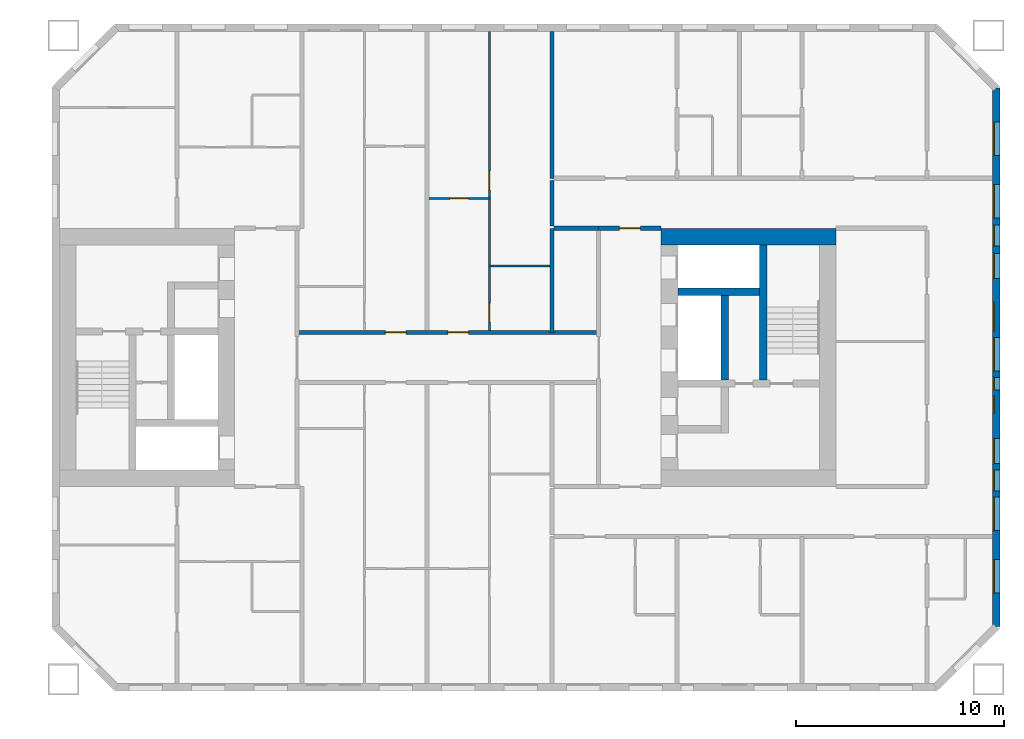
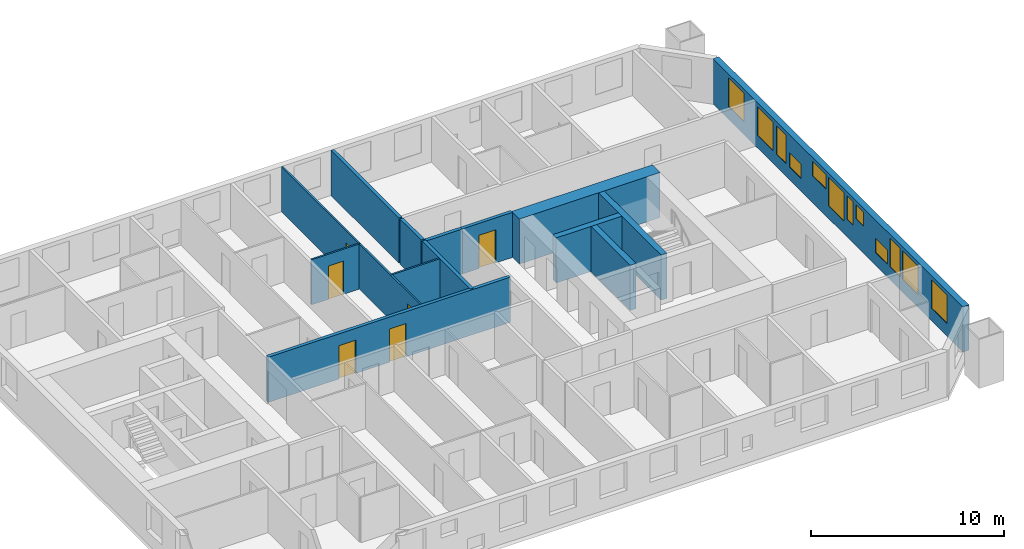
# One storey, part 13 of 17: 14 walls, 12 windows, 6 doors, 18 openings.
"""IFC4 building model written with IfcOpenShell, lengths in metres."""

from ifc_helpers import new_model, si_unit, direction, frame, frame_2d, origin, place, context, subcontext, project, spatial, rectangle, extrude, material, layer, layer_set, type_object, element, fill, save


model = new_model("IFC4")

# Units and contexts
model_context = context("Model", 3, precision=1e-05, world=origin(), true_north=direction((0.0, 1.0)))
body_context = subcontext(model_context, "Body", "Model", "MODEL_VIEW")
ifc_project = project(units=[si_unit("LENGTHUNIT", "METRE"), si_unit("AREAUNIT", "SQUARE_METRE"), si_unit("VOLUMEUNIT", "CUBIC_METRE"), si_unit("PLANEANGLEUNIT", "RADIAN"), si_unit("MASSUNIT", "GRAM", prefix="KILO")], contexts=[model_context])

# Site, building, storey
site_placement = place(None, origin())
site = spatial("IfcSite", under=ifc_project, at=site_placement, CompositionType="ELEMENT")
building_placement = place(site_placement, origin())
building = spatial("IfcBuilding", under=site, at=building_placement, Name="Tuart Gate Housing", CompositionType="ELEMENT")
storey_placement = place(building_placement, frame((0.0, 0.0, 53.60009765625)))
storey = spatial("IfcBuildingStorey", under=building, at=storey_placement, Name="L14", CompositionType="ELEMENT", Elevation=53.60009765625)

# Wall, openings, windows
ifc_material_1 = material(Name="Brick", Category="masonry")
ifc_layer_1 = layer(ifc_material_1, 0.360107421875)
ifc_layer_set_1 = layer_set([ifc_layer_1], Name="Brick pier and spandrel wall 360")
wall_type_1 = type_object("IfcWallType", Name="Brick pier and spandrel wall 360", PredefinedType="STANDARD", material=ifc_layer_set_1)
wall_1_placement = place(storey_placement, frame((176.320068359375, 57.07470703125, 0.0), z_axis=(0.0, 0.0, 1.0), x_axis=(0.0, 1.0, 0.0)))
wall_1 = element("IfcWall", 1, at=wall_1_placement, inside=storey, type_object=wall_type_1, Name="External wall B-E L14", PredefinedType="STANDARD", context=body_context, shape_type="SweptSolid", body=[
    extrude(rectangle(XDim=25.850830078125, YDim=0.360107421875, at=frame_2d((12.92529296875, 0.0))), origin(), (0.0, 0.0, 1.0), 2.849853515625),
])
opening_1_placement = place(wall_1_placement, frame((1.62548828125, 0.0, 0.800048828125)))
opening_1 = element("IfcOpeningElement", 2, at=opening_1_placement, cuts=wall_1, Name="Opening W1", PredefinedType="OPENING", context=body_context, shape_type="SweptSolid", body=[
    extrude(rectangle(XDim=1.60009765625, YDim=1.800048828125, at=frame_2d((0.800048828125, 0.89990234375))), frame((0.0, 0.18994140625, 0.0), z_axis=(0.0, -1.0, 0.0), x_axis=(1.0, 0.0, 0.0)), (0.0, 0.0, 1.0), 0.380126953125),
])
opening_2_placement = place(wall_1_placement, frame((4.62548828125, 0.0, 0.800048828125)))
opening_2 = element("IfcOpeningElement", 3, at=opening_2_placement, cuts=wall_1, Name="Opening W1", PredefinedType="OPENING", context=body_context, shape_type="SweptSolid", body=[
    extrude(rectangle(XDim=1.60009765625, YDim=1.800048828125, at=frame_2d((0.800048828125, 0.89990234375))), frame((0.0, 0.18994140625, 0.0), z_axis=(0.0, -1.0, 0.0), x_axis=(1.0, 0.0, 0.0)), (0.0, 0.0, 1.0), 0.380126953125),
])
opening_3_placement = place(wall_1_placement, frame((6.525390625, 0.0, 0.800048828125)))
opening_3 = element("IfcOpeningElement", 4, at=opening_3_placement, cuts=wall_1, Name="Opening W1C", PredefinedType="OPENING", context=body_context, shape_type="SweptSolid", body=[
    extrude(rectangle(XDim=1.0, YDim=1.800048828125, at=frame_2d((0.5, 0.89990234375))), frame((0.0, 0.18994140625, 0.0), z_axis=(0.0, -1.0, 0.0), x_axis=(1.0, 0.0, 0.0)), (0.0, 0.0, 1.0), 0.380126953125),
])
opening_4_placement = place(wall_1_placement, frame((7.825439453125, 0.0, 0.800048828125)))
opening_4 = element("IfcOpeningElement", 5, at=opening_4_placement, cuts=wall_1, Name="Opening W1T", PredefinedType="OPENING", context=body_context, shape_type="SweptSolid", body=[
    extrude(rectangle(XDim=1.199951171875, YDim=0.89990234375, at=frame_2d((0.60009765625, 0.449951171875))), frame((0.0, 0.18994140625, 0.0), z_axis=(0.0, -1.0, 0.0), x_axis=(1.0, 0.0, 0.0)), (0.0, 0.0, 1.0), 0.380126953125),
])
opening_5_placement = place(wall_1_placement, frame((10.275390625, 0.0, 1.699951171875)))
opening_5 = element("IfcOpeningElement", 6, at=opening_5_placement, cuts=wall_1, Name="Opening W1V", PredefinedType="OPENING", context=body_context, shape_type="SweptSolid", body=[
    extrude(rectangle(XDim=0.800048828125, YDim=0.89990234375, at=frame_2d((0.39990234375, 0.449951171875))), frame((0.0, 0.18994140625, 0.0), z_axis=(0.0, -1.0, 0.0), x_axis=(1.0, 0.0, 0.0)), (0.0, 0.0, 1.0), 0.380126953125),
])
opening_6_placement = place(wall_1_placement, frame((11.37548828125, 0.0, 1.10009765625)))
opening_6 = element("IfcOpeningElement", 7, at=opening_6_placement, cuts=wall_1, Name="Opening W1K", PredefinedType="OPENING", context=body_context, shape_type="SweptSolid", body=[
    extrude(rectangle(XDim=0.60009765625, YDim=1.5, at=frame_2d((0.300048828125, 0.75))), frame((0.0, 0.18994140625, 0.0), z_axis=(0.0, -1.0, 0.0), x_axis=(1.0, 0.0, 0.0)), (0.0, 0.0, 1.0), 0.380126953125),
])
opening_7_placement = place(wall_1_placement, frame((19.62548828125, 0.0, 0.800048828125)))
opening_7 = element("IfcOpeningElement", 8, at=opening_7_placement, cuts=wall_1, Name="Opening W1", PredefinedType="OPENING", context=body_context, shape_type="SweptSolid", body=[
    extrude(rectangle(XDim=1.60009765625, YDim=1.800048828125, at=frame_2d((0.800048828125, 0.89990234375))), frame((0.0, 0.18994140625, 0.0), z_axis=(0.0, -1.0, 0.0), x_axis=(1.0, 0.0, 0.0)), (0.0, 0.0, 1.0), 0.380126953125),
])
opening_8_placement = place(wall_1_placement, frame((22.62548828125, 0.0, 0.800048828125)))
opening_8 = element("IfcOpeningElement", 9, at=opening_8_placement, cuts=wall_1, Name="Opening W1", PredefinedType="OPENING", context=body_context, shape_type="SweptSolid", body=[
    extrude(rectangle(XDim=1.60009765625, YDim=1.800048828125, at=frame_2d((0.800048828125, 0.89990234375))), frame((0.0, 0.18994140625, 0.0), z_axis=(0.0, -1.0, 0.0), x_axis=(1.0, 0.0, 0.0)), (0.0, 0.0, 1.0), 0.380126953125),
])
opening_9_placement = place(wall_1_placement, frame((12.275390625, 0.0, 0.800048828125)))
opening_9 = element("IfcOpeningElement", 10, at=opening_9_placement, cuts=wall_1, Name="Opening W1", PredefinedType="OPENING", context=body_context, shape_type="SweptSolid", body=[
    extrude(rectangle(XDim=1.60009765625, YDim=1.800048828125, at=frame_2d((0.800048828125, 0.89990234375))), frame((0.0, 0.18994140625, 0.0), z_axis=(0.0, -1.0, 0.0), x_axis=(1.0, 0.0, 0.0)), (0.0, 0.0, 1.0), 0.380126953125),
])
opening_10_placement = place(wall_1_placement, frame((14.17529296875, 0.0, 1.699951171875)))
opening_10 = element("IfcOpeningElement", 11, at=opening_10_placement, cuts=wall_1, Name="Opening W1S", PredefinedType="OPENING", context=body_context, shape_type="SweptSolid", body=[
    extrude(rectangle(XDim=1.39990234375, YDim=0.89990234375, at=frame_2d((0.699951171875, 0.449951171875))), frame((0.0, 0.18994140625, 0.0), z_axis=(0.0, -1.0, 0.0), x_axis=(1.0, 0.0, 0.0)), (0.0, 0.0, 1.0), 0.380126953125),
])
opening_11_placement = place(wall_1_placement, frame((16.725341796875, 0.0, 0.800048828125)))
opening_11 = element("IfcOpeningElement", 12, at=opening_11_placement, cuts=wall_1, Name="Opening W1T", PredefinedType="OPENING", context=body_context, shape_type="SweptSolid", body=[
    extrude(rectangle(XDim=1.199951171875, YDim=0.89990234375, at=frame_2d((0.60009765625, 0.449951171875))), frame((0.0, 0.18994140625, 0.0), z_axis=(0.0, -1.0, 0.0), x_axis=(1.0, 0.0, 0.0)), (0.0, 0.0, 1.0), 0.380126953125),
])
opening_12_placement = place(wall_1_placement, frame((18.275390625, 0.0, 0.800048828125)))
opening_12 = element("IfcOpeningElement", 13, at=opening_12_placement, cuts=wall_1, Name="Opening W1C", PredefinedType="OPENING", context=body_context, shape_type="SweptSolid", body=[
    extrude(rectangle(XDim=1.0, YDim=1.800048828125, at=frame_2d((0.5, 0.89990234375))), frame((0.0, 0.18994140625, 0.0), z_axis=(0.0, -1.0, 0.0), x_axis=(1.0, 0.0, 0.0)), (0.0, 0.0, 1.0), 0.380126953125),
])
ifc_material_2 = material(Name="Aluminium frame with clear glass", Category="aluminium")
window_type_1 = type_object("IfcWindowType", Name="Punched window 1000 x 1800", PartitioningType="SINGLE_PANEL", PredefinedType="WINDOW", material=ifc_material_2)
window_1_placement = place(opening_3_placement, origin())
window_1 = element("IfcWindow", 14, at=window_1_placement, inside=storey, type_object=window_type_1, Name="Window W1C", OverallHeight=1.800048828125, OverallWidth=1.0, PartitioningType="SINGLE_PANEL", PredefinedType="WINDOW", context=body_context, shape_type="SweptSolid", body=[
    extrude(rectangle(XDim=1.0, YDim=1.800048828125, at=frame_2d((0.5, 0.89990234375))), frame((0.0, 0.150146484375, 0.0), z_axis=(0.0, -1.0, 0.0), x_axis=(1.0, 0.0, 0.0)), (0.0, 0.0, 1.0), 0.06005859375),
])
fill(opening_3, window_1)
window_2_placement = place(opening_12_placement, origin())
window_2 = element("IfcWindow", 15, at=window_2_placement, inside=storey, type_object=window_type_1, Name="Window W1C", OverallHeight=1.800048828125, OverallWidth=1.0, PartitioningType="SINGLE_PANEL", PredefinedType="WINDOW", context=body_context, shape_type="SweptSolid", body=[
    extrude(rectangle(XDim=1.0, YDim=1.800048828125, at=frame_2d((0.5, 0.89990234375))), frame((0.0, 0.150146484375, 0.0), z_axis=(0.0, -1.0, 0.0), x_axis=(1.0, 0.0, 0.0)), (0.0, 0.0, 1.0), 0.06005859375),
])
fill(opening_12, window_2)
ifc_material_3 = material(Name="Aluminium frame with clear glass", Category="aluminium")
window_type_2 = type_object("IfcWindowType", Name="Punched window 1200 x 900", PartitioningType="SINGLE_PANEL", PredefinedType="WINDOW", material=ifc_material_3)
window_3_placement = place(opening_4_placement, origin())
window_3 = element("IfcWindow", 16, at=window_3_placement, inside=storey, type_object=window_type_2, Name="Window W1T", OverallHeight=0.89990234375, OverallWidth=1.199951171875, PartitioningType="SINGLE_PANEL", PredefinedType="WINDOW", context=body_context, shape_type="SweptSolid", body=[
    extrude(rectangle(XDim=1.199951171875, YDim=0.89990234375, at=frame_2d((0.60009765625, 0.449951171875))), frame((0.0, 0.150146484375, 0.0), z_axis=(0.0, -1.0, 0.0), x_axis=(1.0, 0.0, 0.0)), (0.0, 0.0, 1.0), 0.06005859375),
])
fill(opening_4, window_3)
window_4_placement = place(opening_11_placement, origin())
window_4 = element("IfcWindow", 17, at=window_4_placement, inside=storey, type_object=window_type_2, Name="Window W1T", OverallHeight=0.89990234375, OverallWidth=1.199951171875, PartitioningType="SINGLE_PANEL", PredefinedType="WINDOW", context=body_context, shape_type="SweptSolid", body=[
    extrude(rectangle(XDim=1.199951171875, YDim=0.89990234375, at=frame_2d((0.60009765625, 0.449951171875))), frame((0.0, 0.150146484375, 0.0), z_axis=(0.0, -1.0, 0.0), x_axis=(1.0, 0.0, 0.0)), (0.0, 0.0, 1.0), 0.06005859375),
])
fill(opening_11, window_4)
ifc_material_4 = material(Name="Aluminium frame with clear glass", Category="aluminium")
window_type_3 = type_object("IfcWindowType", Name="Punched window 1400 x 900", PartitioningType="SINGLE_PANEL", PredefinedType="WINDOW", material=ifc_material_4)
window_5_placement = place(opening_10_placement, origin())
window_5 = element("IfcWindow", 18, at=window_5_placement, inside=storey, type_object=window_type_3, Name="Window W1S", OverallHeight=0.89990234375, OverallWidth=1.39990234375, PartitioningType="SINGLE_PANEL", PredefinedType="WINDOW", context=body_context, shape_type="SweptSolid", body=[
    extrude(rectangle(XDim=1.39990234375, YDim=0.89990234375, at=frame_2d((0.699951171875, 0.449951171875))), frame((0.0, 0.150146484375, 0.0), z_axis=(0.0, -1.0, 0.0), x_axis=(1.0, 0.0, 0.0)), (0.0, 0.0, 1.0), 0.06005859375),
])
fill(opening_10, window_5)
ifc_material_5 = material(Name="Aluminium frame with clear glass", Category="aluminium")
window_type_4 = type_object("IfcWindowType", Name="Punched window 1600 x 1800", PartitioningType="SINGLE_PANEL", PredefinedType="WINDOW", material=ifc_material_5)
window_6_placement = place(opening_1_placement, origin())
window_6 = element("IfcWindow", 19, at=window_6_placement, inside=storey, type_object=window_type_4, Name="Window W1", OverallHeight=1.800048828125, OverallWidth=1.60009765625, PartitioningType="SINGLE_PANEL", PredefinedType="WINDOW", context=body_context, shape_type="SweptSolid", body=[
    extrude(rectangle(XDim=1.60009765625, YDim=1.800048828125, at=frame_2d((0.800048828125, 0.89990234375))), frame((0.0, 0.150146484375, 0.0), z_axis=(0.0, -1.0, 0.0), x_axis=(1.0, 0.0, 0.0)), (0.0, 0.0, 1.0), 0.06005859375),
])
fill(opening_1, window_6)
window_7_placement = place(opening_2_placement, origin())
window_7 = element("IfcWindow", 20, at=window_7_placement, inside=storey, type_object=window_type_4, Name="Window W1", OverallHeight=1.800048828125, OverallWidth=1.60009765625, PartitioningType="SINGLE_PANEL", PredefinedType="WINDOW", context=body_context, shape_type="SweptSolid", body=[
    extrude(rectangle(XDim=1.60009765625, YDim=1.800048828125, at=frame_2d((0.800048828125, 0.89990234375))), frame((0.0, 0.150146484375, 0.0), z_axis=(0.0, -1.0, 0.0), x_axis=(1.0, 0.0, 0.0)), (0.0, 0.0, 1.0), 0.06005859375),
])
fill(opening_2, window_7)
window_8_placement = place(opening_7_placement, origin())
window_8 = element("IfcWindow", 21, at=window_8_placement, inside=storey, type_object=window_type_4, Name="Window W1", OverallHeight=1.800048828125, OverallWidth=1.60009765625, PartitioningType="SINGLE_PANEL", PredefinedType="WINDOW", context=body_context, shape_type="SweptSolid", body=[
    extrude(rectangle(XDim=1.60009765625, YDim=1.800048828125, at=frame_2d((0.800048828125, 0.89990234375))), frame((0.0, 0.150146484375, 0.0), z_axis=(0.0, -1.0, 0.0), x_axis=(1.0, 0.0, 0.0)), (0.0, 0.0, 1.0), 0.06005859375),
])
fill(opening_7, window_8)
window_9_placement = place(opening_8_placement, origin())
window_9 = element("IfcWindow", 22, at=window_9_placement, inside=storey, type_object=window_type_4, Name="Window W1", OverallHeight=1.800048828125, OverallWidth=1.60009765625, PartitioningType="SINGLE_PANEL", PredefinedType="WINDOW", context=body_context, shape_type="SweptSolid", body=[
    extrude(rectangle(XDim=1.60009765625, YDim=1.800048828125, at=frame_2d((0.800048828125, 0.89990234375))), frame((0.0, 0.150146484375, 0.0), z_axis=(0.0, -1.0, 0.0), x_axis=(1.0, 0.0, 0.0)), (0.0, 0.0, 1.0), 0.06005859375),
])
fill(opening_8, window_9)
window_10_placement = place(opening_9_placement, origin())
window_10 = element("IfcWindow", 23, at=window_10_placement, inside=storey, type_object=window_type_4, Name="Window W1", OverallHeight=1.800048828125, OverallWidth=1.60009765625, PartitioningType="SINGLE_PANEL", PredefinedType="WINDOW", context=body_context, shape_type="SweptSolid", body=[
    extrude(rectangle(XDim=1.60009765625, YDim=1.800048828125, at=frame_2d((0.800048828125, 0.89990234375))), frame((0.0, 0.150146484375, 0.0), z_axis=(0.0, -1.0, 0.0), x_axis=(1.0, 0.0, 0.0)), (0.0, 0.0, 1.0), 0.06005859375),
])
fill(opening_9, window_10)
ifc_material_6 = material(Name="Aluminium frame with clear glass", Category="aluminium")
window_type_5 = type_object("IfcWindowType", Name="Punched window 600 x 1500", PartitioningType="SINGLE_PANEL", PredefinedType="WINDOW", material=ifc_material_6)
window_11_placement = place(opening_6_placement, origin())
window_11 = element("IfcWindow", 24, at=window_11_placement, inside=storey, type_object=window_type_5, Name="Window W1K", OverallHeight=1.5, OverallWidth=0.60009765625, PartitioningType="SINGLE_PANEL", PredefinedType="WINDOW", context=body_context, shape_type="SweptSolid", body=[
    extrude(rectangle(XDim=0.60009765625, YDim=1.5, at=frame_2d((0.300048828125, 0.75))), frame((0.0, 0.150146484375, 0.0), z_axis=(0.0, -1.0, 0.0), x_axis=(1.0, 0.0, 0.0)), (0.0, 0.0, 1.0), 0.06005859375),
])
fill(opening_6, window_11)
ifc_material_7 = material(Name="Aluminium frame with clear glass", Category="aluminium")
window_type_6 = type_object("IfcWindowType", Name="Punched window 800 x 900", PartitioningType="SINGLE_PANEL", PredefinedType="WINDOW", material=ifc_material_7)
window_12_placement = place(opening_5_placement, origin())
window_12 = element("IfcWindow", 25, at=window_12_placement, inside=storey, type_object=window_type_6, Name="Window W1V", OverallHeight=0.89990234375, OverallWidth=0.800048828125, PartitioningType="SINGLE_PANEL", PredefinedType="WINDOW", context=body_context, shape_type="SweptSolid", body=[
    extrude(rectangle(XDim=0.800048828125, YDim=0.89990234375, at=frame_2d((0.39990234375, 0.449951171875))), frame((0.0, 0.150146484375, 0.0), z_axis=(0.0, -1.0, 0.0), x_axis=(1.0, 0.0, 0.0)), (0.0, 0.0, 1.0), 0.06005859375),
])
fill(opening_5, window_12)

# Walls
ifc_material_8 = material(Name="Concrete C60", Category="concrete")
ifc_layer_2 = layer(ifc_material_8, 0.35009765625)
ifc_layer_set_2 = layer_set([ifc_layer_2], Name="Core wall 350 C60")
wall_type_2 = type_object("IfcWallType", Name="Core wall 350 C60", PredefinedType="SHEAR", material=ifc_layer_set_2)
wall_2_placement = place(storey_placement, frame((161.0400390625, 73.14990234375, 0.0), z_axis=(0.0, 0.0, 1.0), x_axis=(1.0, 0.0, 0.0)))
element("IfcWall", 26, at=wall_2_placement, inside=storey, type_object=wall_type_2, Name="Core wall BK.1", PredefinedType="SHEAR", context=body_context, shape_type="SweptSolid", body=[
    extrude(rectangle(XDim=3.925048828125, YDim=0.35009765625, at=frame_2d((1.96240234375, 0.0))), origin(), (0.0, 0.0, 1.0), 2.849853515625),
])
wall_3_placement = place(storey_placement, frame((163.2900390625, 72.97509765625, 0.0), z_axis=(0.0, 0.0, 1.0), x_axis=(0.0, -1.0, 0.0)))
element("IfcWall", 27, at=wall_3_placement, inside=storey, type_object=wall_type_2, Name="Core wall BK.4", PredefinedType="SHEAR", context=body_context, shape_type="SweptSolid", body=[
    extrude(rectangle(XDim=4.050048828125, YDim=0.35009765625, at=frame_2d((2.02490234375, 0.0))), origin(), (0.0, 0.0, 1.0), 2.849853515625),
])
wall_4_placement = place(storey_placement, frame((165.139892578125, 75.39990234375, 0.0), z_axis=(0.0, 0.0, 1.0), x_axis=(0.0, -1.0, 0.0)))
element("IfcWall", 28, at=wall_4_placement, inside=storey, type_object=wall_type_2, Name="Core wall BK.6", PredefinedType="SHEAR", context=body_context, shape_type="SweptSolid", body=[
    extrude(rectangle(XDim=6.474853515625, YDim=0.35009765625, at=frame_2d((3.2373046875, 0.0))), origin(), (0.0, 0.0, 1.0), 2.849853515625),
])
ifc_material_9 = material(Name="Concrete C60", Category="concrete")
ifc_layer_3 = layer(ifc_material_9, 0.800048828125)
ifc_layer_set_3 = layer_set([ifc_layer_3], Name="Core wall 800 C60")
wall_type_3 = type_object("IfcWallType", Name="Core wall 800 C60", PredefinedType="SHEAR", material=ifc_layer_set_3)
wall_5_placement = place(storey_placement, frame((160.239990234375, 75.800048828125, 0.0), z_axis=(0.0, 0.0, 1.0), x_axis=(1.0, 0.0, 0.0)))
element("IfcWall", 29, at=wall_5_placement, inside=storey, type_object=wall_type_3, Name="Core wall BK south", PredefinedType="SHEAR", context=body_context, shape_type="SweptSolid", body=[
    extrude(rectangle(XDim=8.39990234375, YDim=0.800048828125, at=frame_2d((4.199951171875, 0.0))), origin(), (0.0, 0.0, 1.0), 2.849853515625),
])

# Wall, openings, doors
ifc_material_10 = material(Name="Concrete masonry 15 MPa", Category="masonry")
ifc_layer_4 = layer(ifc_material_10, 0.199951171875)
ifc_layer_set_4 = layer_set([ifc_layer_4], Name="Corridor wall masonry 200")
wall_type_4 = type_object("IfcWallType", Name="Corridor wall masonry 200", PredefinedType="PARTITIONING", material=ifc_layer_set_4)
wall_6_placement = place(storey_placement, frame((142.760009765625, 71.199951171875, 0.0), z_axis=(0.0, 0.0, 1.0), x_axis=(1.0, 0.0, 0.0)))
wall_6 = element("IfcWall", 30, at=wall_6_placement, inside=storey, type_object=wall_type_4, Name="Corridor wall masonry 200", PredefinedType="PARTITIONING", context=body_context, shape_type="SweptSolid", body=[
    extrude(rectangle(XDim=14.47998046875, YDim=0.199951171875, at=frame_2d((7.239990234375, 0.0))), origin(), (0.0, 0.0, 1.0), 2.849853515625),
])
opening_13_placement = place(wall_6_placement, frame((4.239990234375, 0.0, 0.0)))
opening_13 = element("IfcOpeningElement", 31, at=opening_13_placement, cuts=wall_6, Name="Opening D799", PredefinedType="OPENING", context=body_context, shape_type="SweptSolid", body=[
    extrude(rectangle(XDim=1.0, YDim=2.10009765625, at=frame_2d((0.5, 1.050048828125))), frame((0.0, 0.10986328125, 0.0), z_axis=(0.0, -1.0, 0.0), x_axis=(1.0, 0.0, 0.0)), (0.0, 0.0, 1.0), 0.219970703125),
])
opening_14_placement = place(wall_6_placement, frame((7.239990234375, 0.0, 0.0)))
opening_14 = element("IfcOpeningElement", 32, at=opening_14_placement, cuts=wall_6, Name="Opening D800", PredefinedType="OPENING", context=body_context, shape_type="SweptSolid", body=[
    extrude(rectangle(XDim=1.0, YDim=2.10009765625, at=frame_2d((0.5, 1.050048828125))), frame((0.0, 0.10986328125, 0.0), z_axis=(0.0, -1.0, 0.0), x_axis=(1.0, 0.0, 0.0)), (0.0, 0.0, 1.0), 0.219970703125),
])
ifc_material_11 = material(Name="Timber door leaf in steel frame", Category="steel")
door_type_1 = type_object("IfcDoorType", Name="Flat entrance door 1000", OperationType="SINGLE_SWING_LEFT", PredefinedType="DOOR", material=ifc_material_11)
door_1_placement = place(opening_13_placement, origin())
door_1 = element("IfcDoor", 33, at=door_1_placement, inside=storey, type_object=door_type_1, Name="Flat entrance door", OperationType="SINGLE_SWING_LEFT", OverallHeight=2.10009765625, OverallWidth=1.0, PredefinedType="DOOR", context=body_context, shape_type="SweptSolid", body=[
    extrude(rectangle(XDim=1.0, YDim=2.10009765625, at=frame_2d((0.5, 1.050048828125))), frame((0.0, 0.02490234375, 0.0), z_axis=(0.0, -1.0, 0.0), x_axis=(1.0, 0.0, 0.0)), (0.0, 0.0, 1.0), 0.050048828125),
])
fill(opening_13, door_1)
door_2_placement = place(opening_14_placement, origin())
door_2 = element("IfcDoor", 34, at=door_2_placement, inside=storey, type_object=door_type_1, Name="Flat entrance door", OperationType="SINGLE_SWING_LEFT", OverallHeight=2.10009765625, OverallWidth=1.0, PredefinedType="DOOR", context=body_context, shape_type="SweptSolid", body=[
    extrude(rectangle(XDim=1.0, YDim=2.10009765625, at=frame_2d((0.5, 1.050048828125))), frame((0.0, 0.02490234375, 0.0), z_axis=(0.0, -1.0, 0.0), x_axis=(1.0, 0.0, 0.0)), (0.0, 0.0, 1.0), 0.050048828125),
])
fill(opening_14, door_2)

# Walls
wall_7_placement = place(storey_placement, frame((155.10009765625, 76.199951171875, 0.0), z_axis=(0.0, 0.0, 1.0), x_axis=(1.0, 0.0, 0.0)))
element("IfcWall", 35, at=wall_7_placement, inside=storey, type_object=wall_type_4, Name="Corridor wall masonry 200", PredefinedType="PARTITIONING", context=body_context, shape_type="SweptSolid", body=[
    extrude(rectangle(XDim=2.139892578125, YDim=0.199951171875, at=frame_2d((1.06982421875, 0.0))), origin(), (0.0, 0.0, 1.0), 2.849853515625),
])
wall_8_placement = place(storey_placement, frame((155.0, 76.300048828125, 0.0), z_axis=(0.0, 0.0, 1.0), x_axis=(0.0, 1.0, 0.0)))
element("IfcWall", 36, at=wall_8_placement, inside=storey, type_object=wall_type_4, Name="Corridor wall masonry 200", PredefinedType="PARTITIONING", context=body_context, shape_type="SweptSolid", body=[
    extrude(rectangle(XDim=2.199951171875, YDim=0.199951171875, at=frame_2d((1.10009765625, 0.0))), origin(), (0.0, 0.0, 1.0), 2.849853515625),
])

# Wall, opening, door
ifc_material_12 = material(Name="Concrete masonry 15 MPa", Category="masonry")
ifc_layer_5 = layer(ifc_material_12, 0.199951171875)
ifc_layer_set_5 = layer_set([ifc_layer_5], Name="Enclosure wall masonry 200")
wall_type_5 = type_object("IfcWallType", Name="Enclosure wall masonry 200", PredefinedType="PARTITIONING", material=ifc_layer_set_5)
wall_9_placement = place(storey_placement, frame((157.239990234375, 76.199951171875, 0.0), z_axis=(0.0, 0.0, 1.0), x_axis=(1.0, 0.0, 0.0)))
wall_9 = element("IfcWall", 37, at=wall_9_placement, inside=storey, type_object=wall_type_5, Name="Enclosure wall masonry 200", PredefinedType="PARTITIONING", context=body_context, shape_type="SweptSolid", body=[
    extrude(rectangle(XDim=3.0, YDim=0.199951171875, at=frame_2d((1.5, 0.0))), origin(), (0.0, 0.0, 1.0), 2.849853515625),
])
opening_15_placement = place(wall_9_placement, frame((1.0, 0.0, 0.0)))
opening_15 = element("IfcOpeningElement", 38, at=opening_15_placement, cuts=wall_9, Name="Opening D796", PredefinedType="OPENING", context=body_context, shape_type="SweptSolid", body=[
    extrude(rectangle(XDim=1.0, YDim=2.10009765625, at=frame_2d((0.5, 1.050048828125))), frame((0.0, 0.10986328125, 0.0), z_axis=(0.0, -1.0, 0.0), x_axis=(1.0, 0.0, 0.0)), (0.0, 0.0, 1.0), 0.219970703125),
])
ifc_material_13 = material(Name="Timber door leaf in steel frame", Category="steel")
door_type_2 = type_object("IfcDoorType", Name="Fire door 1000", OperationType="SINGLE_SWING_LEFT", PredefinedType="DOOR", material=ifc_material_13)
door_3_placement = place(opening_15_placement, origin())
door_3 = element("IfcDoor", 39, at=door_3_placement, inside=storey, type_object=door_type_2, Name="Fire door", OperationType="SINGLE_SWING_LEFT", OverallHeight=2.10009765625, OverallWidth=1.0, PredefinedType="DOOR", context=body_context, shape_type="SweptSolid", body=[
    extrude(rectangle(XDim=1.0, YDim=2.10009765625, at=frame_2d((0.5, 1.050048828125))), frame((0.0, 0.02490234375, 0.0), z_axis=(0.0, -1.0, 0.0), x_axis=(1.0, 0.0, 0.0)), (0.0, 0.0, 1.0), 0.050048828125),
])
fill(opening_15, door_3)

# Wall
ifc_material_14 = material(Name="Gypsum board on steel studs", Category="steel")
ifc_layer_6 = layer(ifc_material_14, 0.10009765625)
ifc_layer_set_6 = layer_set([ifc_layer_6], Name="Partition 100")
wall_type_6 = type_object("IfcWallType", Name="Partition 100", PredefinedType="PARTITIONING", material=ifc_layer_set_6)
wall_10_placement = place(storey_placement, frame((152.0, 74.39990234375, 0.0), z_axis=(0.0, 0.0, 1.0), x_axis=(1.0, 0.0, 0.0)))
element("IfcWall", 40, at=wall_10_placement, inside=storey, type_object=wall_type_6, Name="Partition 100", PredefinedType="PARTITIONING", context=body_context, shape_type="SweptSolid", body=[
    extrude(rectangle(XDim=2.89990234375, YDim=0.10009765625, at=frame_2d((1.449951171875, 0.0))), origin(), (0.0, 0.0, 1.0), 2.849853515625),
])

# Wall, opening, door
wall_11_placement = place(storey_placement, frame((149.10009765625, 77.639892578125, 0.0), z_axis=(0.0, 0.0, 1.0), x_axis=(1.0, 0.0, 0.0)))
wall_11 = element("IfcWall", 41, at=wall_11_placement, inside=storey, type_object=wall_type_6, Name="Partition 100", PredefinedType="PARTITIONING", context=body_context, shape_type="SweptSolid", body=[
    extrude(rectangle(XDim=2.89990234375, YDim=0.10009765625, at=frame_2d((1.449951171875, 0.0))), origin(), (0.0, 0.0, 1.0), 2.849853515625),
])
opening_16_placement = place(wall_11_placement, frame((1.0, 0.0, 0.0)))
opening_16 = element("IfcOpeningElement", 42, at=opening_16_placement, cuts=wall_11, Name="Opening D794", PredefinedType="OPENING", context=body_context, shape_type="SweptSolid", body=[
    extrude(rectangle(XDim=0.89990234375, YDim=2.10009765625, at=frame_2d((0.449951171875, 1.050048828125))), frame((0.0, 0.06005859375, 0.0), z_axis=(0.0, -1.0, 0.0), x_axis=(1.0, 0.0, 0.0)), (0.0, 0.0, 1.0), 0.1201171875),
])
ifc_material_15 = material(Name="Timber door leaf in steel frame", Category="steel")
door_type_3 = type_object("IfcDoorType", Name="Internal door 900", OperationType="SINGLE_SWING_LEFT", PredefinedType="DOOR", material=ifc_material_15)
door_4_placement = place(opening_16_placement, frame((0.89990234375, 0.0, 0.0), z_axis=(0.0, 0.0, 1.0), x_axis=(-1.0, 0.0, 0.0)))
door_4 = element("IfcDoor", 43, at=door_4_placement, inside=storey, type_object=door_type_3, Name="Internal door", OperationType="SINGLE_SWING_LEFT", OverallHeight=2.10009765625, OverallWidth=0.89990234375, PredefinedType="DOOR", context=body_context, shape_type="SweptSolid", body=[
    extrude(rectangle(XDim=0.89990234375, YDim=2.10009765625, at=frame_2d((0.449951171875, 1.050048828125))), frame((0.0, 0.025146484375, 0.0), z_axis=(0.0, -1.0, 0.0), x_axis=(1.0, 0.0, 0.0)), (0.0, 0.0, 1.0), 0.050048828125),
])
fill(opening_16, door_4)

# Wall, openings, doors
wall_12_placement = place(storey_placement, frame((152.0, 71.300048828125, 0.0), z_axis=(0.0, 0.0, 1.0), x_axis=(0.0, 1.0, 0.0)))
wall_12 = element("IfcWall", 44, at=wall_12_placement, inside=storey, type_object=wall_type_6, Name="Partition 100", PredefinedType="PARTITIONING", context=body_context, shape_type="SweptSolid", body=[
    extrude(rectangle(XDim=14.33984375, YDim=0.10009765625, at=frame_2d((7.169921875, 0.0))), origin(), (0.0, 0.0, 1.0), 2.849853515625),
])
opening_17_placement = place(wall_12_placement, frame((6.739990234375, 0.0, 0.0)))
opening_17 = element("IfcOpeningElement", 45, at=opening_17_placement, cuts=wall_12, Name="Opening D793", PredefinedType="OPENING", context=body_context, shape_type="SweptSolid", body=[
    extrude(rectangle(XDim=0.89990234375, YDim=2.10009765625, at=frame_2d((0.449951171875, 1.050048828125))), frame((0.0, 0.06005859375, 0.0), z_axis=(0.0, -1.0, 0.0), x_axis=(1.0, 0.0, 0.0)), (0.0, 0.0, 1.0), 0.1201171875),
])
opening_18_placement = place(wall_12_placement, frame((0.39990234375, 0.0, 0.0)))
opening_18 = element("IfcOpeningElement", 46, at=opening_18_placement, cuts=wall_12, Name="Opening D792", PredefinedType="OPENING", context=body_context, shape_type="SweptSolid", body=[
    extrude(rectangle(XDim=0.89990234375, YDim=2.10009765625, at=frame_2d((0.449951171875, 1.050048828125))), frame((0.0, 0.06005859375, 0.0), z_axis=(0.0, -1.0, 0.0), x_axis=(1.0, 0.0, 0.0)), (0.0, 0.0, 1.0), 0.1201171875),
])
ifc_material_16 = material(Name="Timber door leaf in steel frame", Category="steel")
door_type_4 = type_object("IfcDoorType", Name="Bathroom door 900 RH", OperationType="SINGLE_SWING_RIGHT", PredefinedType="DOOR", material=ifc_material_16)
door_5_placement = place(opening_18_placement, frame((0.89990234375, 0.0, 0.0), z_axis=(0.0, 0.0, 1.0), x_axis=(-1.0, 0.0, 0.0)))
door_5 = element("IfcDoor", 47, at=door_5_placement, inside=storey, type_object=door_type_4, Name="Bathroom door", OperationType="SINGLE_SWING_RIGHT", OverallHeight=2.10009765625, OverallWidth=0.89990234375, PredefinedType="DOOR", context=body_context, shape_type="SweptSolid", body=[
    extrude(rectangle(XDim=0.89990234375, YDim=2.10009765625, at=frame_2d((0.449951171875, 1.050048828125))), frame((0.0, 0.025146484375, 0.0), z_axis=(0.0, -1.0, 0.0), x_axis=(1.0, 0.0, 0.0)), (0.0, 0.0, 1.0), 0.050048828125),
])
fill(opening_18, door_5)
ifc_material_17 = material(Name="Timber door leaf in steel frame", Category="steel")
door_type_5 = type_object("IfcDoorType", Name="Internal door 900 RH", OperationType="SINGLE_SWING_RIGHT", PredefinedType="DOOR", material=ifc_material_17)
door_6_placement = place(opening_17_placement, frame((0.89990234375, 0.0, 0.0), z_axis=(0.0, 0.0, 1.0), x_axis=(-1.0, 0.0, 0.0)))
door_6 = element("IfcDoor", 48, at=door_6_placement, inside=storey, type_object=door_type_5, Name="Internal door", OperationType="SINGLE_SWING_RIGHT", OverallHeight=2.10009765625, OverallWidth=0.89990234375, PredefinedType="DOOR", context=body_context, shape_type="SweptSolid", body=[
    extrude(rectangle(XDim=0.89990234375, YDim=2.10009765625, at=frame_2d((0.449951171875, 1.050048828125))), frame((0.0, 0.025146484375, 0.0), z_axis=(0.0, -1.0, 0.0), x_axis=(1.0, 0.0, 0.0)), (0.0, 0.0, 1.0), 0.050048828125),
])
fill(opening_17, door_6)

# Walls
ifc_material_18 = material(Name="Concrete C40", Category="concrete")
ifc_layer_7 = layer(ifc_material_18, 0.199951171875)
ifc_layer_set_7 = layer_set([ifc_layer_7], Name="Party wall concrete C40 200")
wall_type_7 = type_object("IfcWallType", Name="Party wall concrete C40 200", PredefinedType="SOLIDWALL", material=ifc_layer_set_7)
wall_13_placement = place(storey_placement, frame((155.0, 71.199951171875, 0.0), z_axis=(0.0, 0.0, 1.0), x_axis=(0.0, 1.0, 0.0)))
element("IfcWall", 49, at=wall_13_placement, inside=storey, type_object=wall_type_7, Name="Party wall concrete C40 200", PredefinedType="SOLIDWALL", context=body_context, shape_type="SweptSolid", body=[
    extrude(rectangle(XDim=5.0, YDim=0.199951171875, at=frame_2d((2.5, 0.0))), origin(), (0.0, 0.0, 1.0), 2.849853515625),
])
wall_14_placement = place(storey_placement, frame((155.0, 78.60009765625, 0.0), z_axis=(0.0, 0.0, 1.0), x_axis=(0.0, 1.0, 0.0)))
element("IfcWall", 50, at=wall_14_placement, inside=storey, type_object=wall_type_7, Name="Party wall concrete C40 200", PredefinedType="SOLIDWALL", context=body_context, shape_type="SweptSolid", body=[
    extrude(rectangle(XDim=7.039794921875, YDim=0.199951171875, at=frame_2d((3.52001953125, 0.0))), origin(), (0.0, 0.0, 1.0), 2.849853515625),
])

save(model, "model.ifc")
